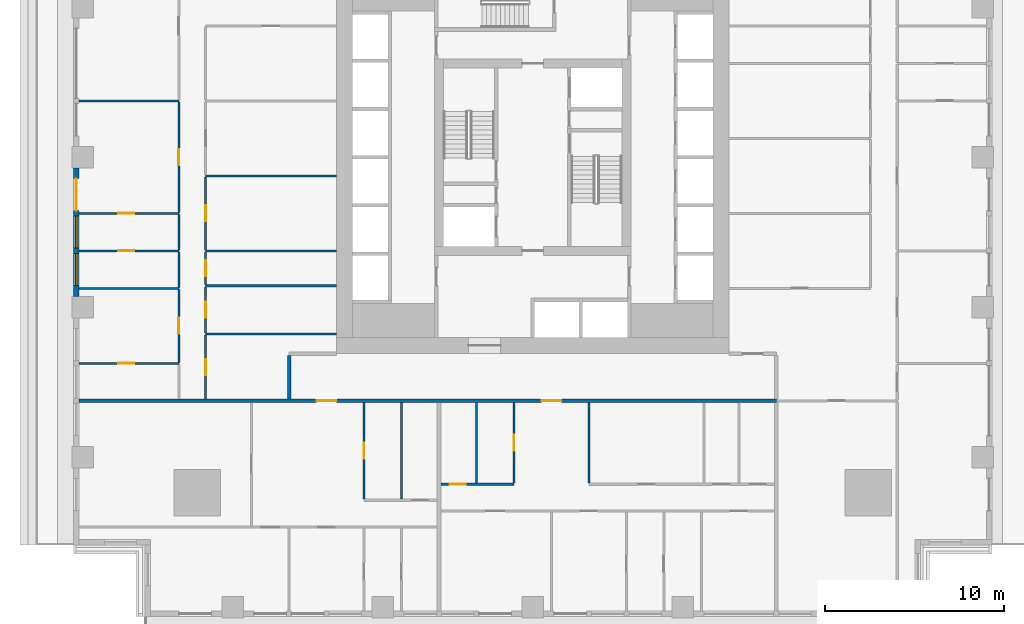
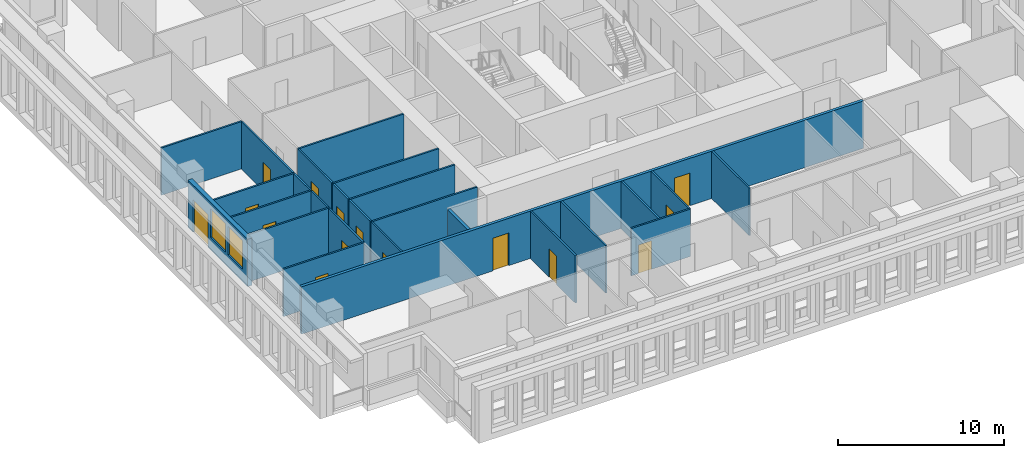
# One storey, part 3 of 16: 26 walls, 15 doors, 2 windows, 17 openings.
"""IFC4 building model written with IfcOpenShell, lengths in metres."""

from ifc_helpers import new_model, si_unit, direction, frame, frame_2d, origin, place, context, subcontext, project, spatial, rectangle, extrude, material, layer, layer_set, type_object, element, fill, save


model = new_model("IFC4")

# Units and contexts
model_context = context("Model", 3, precision=1e-05, world=origin(), true_north=direction((0.0, 1.0)))
body_context = subcontext(model_context, "Body", "Model", "MODEL_VIEW")
ifc_project = project(units=[si_unit("LENGTHUNIT", "METRE"), si_unit("AREAUNIT", "SQUARE_METRE"), si_unit("VOLUMEUNIT", "CUBIC_METRE"), si_unit("PLANEANGLEUNIT", "RADIAN"), si_unit("MASSUNIT", "GRAM", prefix="KILO")], contexts=[model_context])

# Site, building, storey
site_placement = place(None, origin())
site = spatial("IfcSite", under=ifc_project, at=site_placement, CompositionType="ELEMENT")
building_placement = place(site_placement, origin())
building = spatial("IfcBuilding", under=site, at=building_placement, Name="Khepri Terraces", CompositionType="ELEMENT")
storey_placement = place(building_placement, frame((0.0, 0.0, 133.800048828125)))
storey = spatial("IfcBuildingStorey", under=building, at=storey_placement, Name="L31", CompositionType="ELEMENT", Elevation=133.800048828125)

# Wall, openings, doors
ifc_material_1 = material(Name="Fire-rated gypsum plasterboard partition, mineral wool")
ifc_layer_1 = layer(ifc_material_1, 0.199951171875, Name="Fire-rated gypsum plasterboard partition, mineral wool")
ifc_layer_set_1 = layer_set([ifc_layer_1], Name="Fire-rated gypsum plasterboard partition, mineral wool")
wall_type_1 = type_object("IfcWallType", Name="WL-CORR-200", PredefinedType="PARTITIONING", material=ifc_layer_set_1)
wall_1_placement = place(storey_placement, frame((-25.419921875, -13.64990234375, 0.0), z_axis=(0.0, 0.0, 1.0), x_axis=(1.0, 0.0, 0.0)))
wall_1 = element("IfcWall", 1, at=wall_1_placement, inside=storey, type_object=wall_type_1, Name="Partition P-024 L31", PredefinedType="PARTITIONING", context=body_context, shape_type="SweptSolid", body=[
    extrude(rectangle(XDim=39.06982421875, YDim=0.199951171875, at=frame_2d((19.534912109375, 0.0))), origin(), (0.0, 0.0, 1.0), 3.47998046875),
])
opening_1_placement = place(wall_1_placement, frame((13.320068359375, 0.0, 0.0)))
opening_1 = element("IfcOpeningElement", 2, at=opening_1_placement, cuts=wall_1, Name="Opening D1", PredefinedType="OPENING", context=body_context, shape_type="SweptSolid", body=[
    extrude(rectangle(XDim=1.10009765625, YDim=2.39990234375, at=frame_2d((0.550048828125, 1.199951171875))), frame((0.0, 0.10986328125, 0.0), z_axis=(0.0, -1.0, 0.0), x_axis=(1.0, 0.0, 0.0)), (0.0, 0.0, 1.0), 0.219970703125),
])
opening_2_placement = place(wall_1_placement, frame((25.919921875, 0.0, 0.0)))
opening_2 = element("IfcOpeningElement", 3, at=opening_2_placement, cuts=wall_1, Name="Opening D1", PredefinedType="OPENING", context=body_context, shape_type="SweptSolid", body=[
    extrude(rectangle(XDim=1.10009765625, YDim=2.39990234375, at=frame_2d((0.550048828125, 1.199951171875))), frame((0.0, 0.10986328125, 0.0), z_axis=(0.0, -1.0, 0.0), x_axis=(1.0, 0.0, 0.0)), (0.0, 0.0, 1.0), 0.219970703125),
])
ifc_material_2 = material(Name="Solid-core timber door leaf, flat entrance door", Category="wood")
door_type_1 = type_object("IfcDoorType", Name="DR-ENT-1100", OperationType="NOTDEFINED", PredefinedType="DOOR", material=ifc_material_2)
door_1_placement = place(opening_1_placement, frame((1.10009765625, 0.0, 0.0), z_axis=(0.0, 0.0, 1.0), x_axis=(-1.0, 0.0, 0.0)))
door_1 = element("IfcDoor", 4, at=door_1_placement, inside=storey, type_object=door_type_1, Name="Flat A1 entrance door", OperationType="SINGLE_SWING_RIGHT", OverallHeight=2.39990234375, OverallWidth=1.10009765625, PredefinedType="DOOR", context=body_context, shape_type="SweptSolid", body=[
    extrude(rectangle(XDim=1.10009765625, YDim=2.39990234375, at=frame_2d((0.550048828125, 1.199951171875))), frame((0.0, 0.02490234375, 0.0), z_axis=(0.0, -1.0, 0.0), x_axis=(1.0, 0.0, 0.0)), (0.0, 0.0, 1.0), 0.050048828125),
])
fill(opening_1, door_1)
door_2_placement = place(opening_2_placement, frame((1.10009765625, 0.0, 0.0), z_axis=(0.0, 0.0, 1.0), x_axis=(-1.0, 0.0, 0.0)))
door_2 = element("IfcDoor", 5, at=door_2_placement, inside=storey, type_object=door_type_1, Name="Flat A2 entrance door", OperationType="SINGLE_SWING_LEFT", OverallHeight=2.39990234375, OverallWidth=1.10009765625, PredefinedType="DOOR", context=body_context, shape_type="SweptSolid", body=[
    extrude(rectangle(XDim=1.10009765625, YDim=2.39990234375, at=frame_2d((0.550048828125, 1.199951171875))), frame((0.0, 0.02490234375, 0.0), z_axis=(0.0, -1.0, 0.0), x_axis=(1.0, 0.0, 0.0)), (0.0, 0.0, 1.0), 0.050048828125),
])
fill(opening_2, door_2)

# Wall
wall_2_placement = place(storey_placement, frame((-13.64990234375, -13.550048828125, 0.0), z_axis=(0.0, 0.0, 1.0), x_axis=(0.0, 1.0, 0.0)))
element("IfcWall", 6, at=wall_2_placement, inside=storey, type_object=wall_type_1, Name="Partition P-029 L31", PredefinedType="PARTITIONING", context=body_context, shape_type="SweptSolid", body=[
    extrude(rectangle(XDim=2.449951171875, YDim=0.199951171875, at=frame_2d((1.22509765625, 0.0))), origin(), (0.0, 0.0, 1.0), 3.47998046875),
])

# Wall, openings, door, windows
ifc_material_3 = material(Name="Precast concrete C50/60 warm stone", Category="masonry")
ifc_layer_2 = layer(ifc_material_3, 0.300048828125, Name="Precast concrete C50/60 warm stone", Category="masonry")
ifc_layer_set_2 = layer_set([ifc_layer_2], Name="Precast concrete C50/60 warm stone")
wall_type_2 = type_object("IfcWallType", Name="WL-EXT-PRECAST-300", PredefinedType="STANDARD", material=ifc_layer_set_2)
wall_3_placement = place(storey_placement, frame((-25.570068359375, -0.60009765625, 0.0), z_axis=(0.0, 0.0, 1.0), x_axis=(0.0, -1.0, 0.0)))
wall_3 = element("IfcWall", 7, at=wall_3_placement, inside=storey, type_object=wall_type_2, Name="External wall L31 W", PredefinedType="STANDARD", context=body_context, shape_type="SweptSolid", body=[
    extrude(rectangle(XDim=7.199951171875, YDim=0.300048828125, at=frame_2d((3.60009765625, 0.0))), origin(), (0.0, 0.0, 1.0), 3.47998046875),
])
opening_3_placement = place(wall_3_placement, frame((0.60009765625, 0.0, 0.0)))
opening_3 = element("IfcOpeningElement", 8, at=opening_3_placement, cuts=wall_3, Name="Opening ED-L31-18", PredefinedType="OPENING", context=body_context, shape_type="SweptSolid", body=[
    extrude(rectangle(XDim=1.800048828125, YDim=2.39990234375, at=frame_2d((0.89990234375, 1.199951171875))), frame((0.0, 0.16015625, 0.0), z_axis=(0.0, -1.0, 0.0), x_axis=(1.0, 0.0, 0.0)), (0.0, 0.0, 1.0), 0.320068359375),
])
opening_4_placement = place(wall_3_placement, frame((2.699951171875, 0.0, 0.89990234375)))
opening_4 = element("IfcOpeningElement", 9, at=opening_4_placement, cuts=wall_3, Name="Opening W1", PredefinedType="OPENING", context=body_context, shape_type="SweptSolid", body=[
    extrude(rectangle(XDim=1.800048828125, YDim=2.10009765625, at=frame_2d((0.89990234375, 1.050048828125))), frame((0.0, 0.16015625, 0.0), z_axis=(0.0, -1.0, 0.0), x_axis=(1.0, 0.0, 0.0)), (0.0, 0.0, 1.0), 0.320068359375),
])
opening_5_placement = place(wall_3_placement, frame((4.800048828125, 0.0, 0.89990234375)))
opening_5 = element("IfcOpeningElement", 10, at=opening_5_placement, cuts=wall_3, Name="Opening W1", PredefinedType="OPENING", context=body_context, shape_type="SweptSolid", body=[
    extrude(rectangle(XDim=1.800048828125, YDim=2.10009765625, at=frame_2d((0.89990234375, 1.050048828125))), frame((0.0, 0.16015625, 0.0), z_axis=(0.0, -1.0, 0.0), x_axis=(1.0, 0.0, 0.0)), (0.0, 0.0, 1.0), 0.320068359375),
])
ifc_material_4 = material(Name="Anodised aluminium bronze glazed door", Category="aluminium")
door_type_2 = type_object("IfcDoorType", Name="DR-BAL-SLIDE-1800x2400", OperationType="NOTDEFINED", PredefinedType="DOOR", material=ifc_material_4)
door_3_placement = place(opening_3_placement, origin())
door_3 = element("IfcDoor", 11, at=door_3_placement, inside=storey, type_object=door_type_2, Name="Balcony door L31 W", OperationType="SLIDING_TO_LEFT", OverallHeight=2.39990234375, OverallWidth=1.800048828125, PredefinedType="DOOR", context=body_context, shape_type="SweptSolid", body=[
    extrude(rectangle(XDim=1.800048828125, YDim=2.39990234375, at=frame_2d((0.89990234375, 1.199951171875))), frame((0.0, 0.02490234375, 0.0), z_axis=(0.0, -1.0, 0.0), x_axis=(1.0, 0.0, 0.0)), (0.0, 0.0, 1.0), 0.050048828125),
])
fill(opening_3, door_3)
ifc_material_5 = material(Name="Clear glass", Category="glass")
window_type = type_object("IfcWindowType", Name="WIN-RES-1800x2100", PartitioningType="SINGLE_PANEL", PredefinedType="WINDOW", material=ifc_material_5)
window_1_placement = place(opening_4_placement, origin())
window_1 = element("IfcWindow", 12, at=window_1_placement, inside=storey, type_object=window_type, Name="Window L31 W", OverallHeight=2.10009765625, OverallWidth=1.800048828125, PartitioningType="SINGLE_PANEL", PredefinedType="WINDOW", context=body_context, shape_type="SweptSolid", body=[
    extrude(rectangle(XDim=1.800048828125, YDim=2.10009765625, at=frame_2d((0.89990234375, 1.050048828125))), frame((0.0, 0.030029296875, 0.0), z_axis=(0.0, -1.0, 0.0), x_axis=(1.0, 0.0, 0.0)), (0.0, 0.0, 1.0), 0.06005859375),
])
fill(opening_4, window_1)
window_2_placement = place(opening_5_placement, origin())
window_2 = element("IfcWindow", 13, at=window_2_placement, inside=storey, type_object=window_type, Name="Window L31 W", OverallHeight=2.10009765625, OverallWidth=1.800048828125, PartitioningType="SINGLE_PANEL", PredefinedType="WINDOW", context=body_context, shape_type="SweptSolid", body=[
    extrude(rectangle(XDim=1.800048828125, YDim=2.10009765625, at=frame_2d((0.89990234375, 1.050048828125))), frame((0.0, 0.030029296875, 0.0), z_axis=(0.0, -1.0, 0.0), x_axis=(1.0, 0.0, 0.0)), (0.0, 0.0, 1.0), 0.06005859375),
])
fill(opening_5, window_2)

# Wall, opening, door
ifc_material_6 = material(Name="Gypsum plasterboard partition")
ifc_layer_3 = layer(ifc_material_6, 0.1201171875, Name="Gypsum plasterboard partition")
ifc_layer_set_3 = layer_set([ifc_layer_3], Name="Gypsum plasterboard partition")
wall_type_3 = type_object("IfcWallType", Name="WL-PART-120", PredefinedType="PARTITIONING", material=ifc_layer_set_3)
wall_4_placement = place(storey_placement, frame((-9.449951171875, -19.159912109375, 0.0), z_axis=(0.0, 0.0, 1.0), x_axis=(0.0, 1.0, 0.0)))
wall_4 = element("IfcWall", 14, at=wall_4_placement, inside=storey, type_object=wall_type_3, Name="Partition P-015 L31", PredefinedType="PARTITIONING", context=body_context, shape_type="SweptSolid", body=[
    extrude(rectangle(XDim=5.409912109375, YDim=0.1201171875, at=frame_2d((2.705078125, 0.0))), origin(), (0.0, 0.0, 1.0), 3.47998046875),
])
opening_6_placement = place(wall_4_placement, frame((2.27490234375, 0.0, 0.0)))
opening_6 = element("IfcOpeningElement", 15, at=opening_6_placement, cuts=wall_4, Name="Opening D4", PredefinedType="OPENING", context=body_context, shape_type="SweptSolid", body=[
    extrude(rectangle(XDim=0.89990234375, YDim=2.10009765625, at=frame_2d((0.449951171875, 1.050048828125))), frame((0.0, 0.070068359375, 0.0), z_axis=(0.0, -1.0, 0.0), x_axis=(1.0, 0.0, 0.0)), (0.0, 0.0, 1.0), 0.14013671875),
])
ifc_material_7 = material(Name="Timber door leaf, moisture resistant", Category="wood")
door_type_3 = type_object("IfcDoorType", Name="DR-WET-900", OperationType="NOTDEFINED", PredefinedType="DOOR", material=ifc_material_7)
door_4_placement = place(opening_6_placement, frame((0.89990234375, 0.0, 0.0), z_axis=(0.0, 0.0, 1.0), x_axis=(-1.0, 0.0, 0.0)))
door_4 = element("IfcDoor", 16, at=door_4_placement, inside=storey, type_object=door_type_3, Name="Door Guest Bathroom", OperationType="SINGLE_SWING_LEFT", OverallHeight=2.10009765625, OverallWidth=0.89990234375, PredefinedType="DOOR", context=body_context, shape_type="SweptSolid", body=[
    extrude(rectangle(XDim=0.89990234375, YDim=2.10009765625, at=frame_2d((0.449951171875, 1.050048828125))), frame((0.0, 0.02490234375, 0.0), z_axis=(0.0, -1.0, 0.0), x_axis=(1.0, 0.0, 0.0)), (0.0, 0.0, 1.0), 0.050048828125),
])
fill(opening_6, door_4)

# Wall
wall_5_placement = place(storey_placement, frame((-7.35009765625, -19.159912109375, 0.0), z_axis=(0.0, 0.0, 1.0), x_axis=(0.0, 1.0, 0.0)))
element("IfcWall", 17, at=wall_5_placement, inside=storey, type_object=wall_type_3, Name="Partition P-016 L31", PredefinedType="PARTITIONING", context=body_context, shape_type="SweptSolid", body=[
    extrude(rectangle(XDim=5.409912109375, YDim=0.1201171875, at=frame_2d((2.705078125, 0.0))), origin(), (0.0, 0.0, 1.0), 3.47998046875),
])

# Wall, opening, door
wall_6_placement = place(storey_placement, frame((-5.14990234375, -18.320068359375, 0.0), z_axis=(0.0, 0.0, 1.0), x_axis=(1.0, 0.0, 0.0)))
wall_6 = element("IfcWall", 18, at=wall_6_placement, inside=storey, type_object=wall_type_3, Name="Partition P-017 L31", PredefinedType="PARTITIONING", context=body_context, shape_type="SweptSolid", body=[
    extrude(rectangle(XDim=4.099853515625, YDim=0.1201171875, at=frame_2d((2.0498046875, 0.0))), origin(), (0.0, 0.0, 1.0), 3.47998046875),
])
opening_7_placement = place(wall_6_placement, frame((0.5, 0.0, 0.0)))
opening_7 = element("IfcOpeningElement", 19, at=opening_7_placement, cuts=wall_6, Name="Opening D4", PredefinedType="OPENING", context=body_context, shape_type="SweptSolid", body=[
    extrude(rectangle(XDim=0.89990234375, YDim=2.10009765625, at=frame_2d((0.449951171875, 1.050048828125))), frame((0.0, 0.070068359375, 0.0), z_axis=(0.0, -1.0, 0.0), x_axis=(1.0, 0.0, 0.0)), (0.0, 0.0, 1.0), 0.14013671875),
])
door_5_placement = place(opening_7_placement, origin())
door_5 = element("IfcDoor", 20, at=door_5_placement, inside=storey, type_object=door_type_3, Name="Door Powder Room", OperationType="SINGLE_SWING_LEFT", OverallHeight=2.10009765625, OverallWidth=0.89990234375, PredefinedType="DOOR", context=body_context, shape_type="SweptSolid", body=[
    extrude(rectangle(XDim=0.89990234375, YDim=2.10009765625, at=frame_2d((0.449951171875, 1.050048828125))), frame((0.0, 0.02490234375, 0.0), z_axis=(0.0, -1.0, 0.0), x_axis=(1.0, 0.0, 0.0)), (0.0, 0.0, 1.0), 0.050048828125),
])
fill(opening_7, door_5)

# Wall
wall_7_placement = place(storey_placement, frame((-3.14990234375, -18.260009765625, 0.0), z_axis=(0.0, 0.0, 1.0), x_axis=(0.0, 1.0, 0.0)))
element("IfcWall", 21, at=wall_7_placement, inside=storey, type_object=wall_type_3, Name="Partition P-019 L31", PredefinedType="PARTITIONING", context=body_context, shape_type="SweptSolid", body=[
    extrude(rectangle(XDim=4.510009765625, YDim=0.1201171875, at=frame_2d((2.2548828125, 0.0))), origin(), (0.0, 0.0, 1.0), 3.47998046875),
])

# Wall, opening, door
wall_8_placement = place(storey_placement, frame((-1.050048828125, -18.260009765625, 0.0), z_axis=(0.0, 0.0, 1.0), x_axis=(0.0, 1.0, 0.0)))
wall_8 = element("IfcWall", 22, at=wall_8_placement, inside=storey, type_object=wall_type_3, Name="Partition P-020 L31", PredefinedType="PARTITIONING", context=body_context, shape_type="SweptSolid", body=[
    extrude(rectangle(XDim=4.510009765625, YDim=0.1201171875, at=frame_2d((2.2548828125, 0.0))), origin(), (0.0, 0.0, 1.0), 3.47998046875),
])
opening_8_placement = place(wall_8_placement, frame((1.824951171875, 0.0, 0.0)))
opening_8 = element("IfcOpeningElement", 23, at=opening_8_placement, cuts=wall_8, Name="Opening D4", PredefinedType="OPENING", context=body_context, shape_type="SweptSolid", body=[
    extrude(rectangle(XDim=0.89990234375, YDim=2.10009765625, at=frame_2d((0.449951171875, 1.050048828125))), frame((0.0, 0.070068359375, 0.0), z_axis=(0.0, -1.0, 0.0), x_axis=(1.0, 0.0, 0.0)), (0.0, 0.0, 1.0), 0.14013671875),
])
door_6_placement = place(opening_8_placement, origin())
door_6 = element("IfcDoor", 24, at=door_6_placement, inside=storey, type_object=door_type_3, Name="Door Guest Bathroom", OperationType="SINGLE_SWING_RIGHT", OverallHeight=2.10009765625, OverallWidth=0.89990234375, PredefinedType="DOOR", context=body_context, shape_type="SweptSolid", body=[
    extrude(rectangle(XDim=0.89990234375, YDim=2.10009765625, at=frame_2d((0.449951171875, 1.050048828125))), frame((0.0, 0.02490234375, 0.0), z_axis=(0.0, -1.0, 0.0), x_axis=(1.0, 0.0, 0.0)), (0.0, 0.0, 1.0), 0.050048828125),
])
fill(opening_8, door_6)

# Wall
wall_9_placement = place(storey_placement, frame((3.14990234375, -18.260009765625, 0.0), z_axis=(0.0, 0.0, 1.0), x_axis=(0.0, 1.0, 0.0)))
element("IfcWall", 25, at=wall_9_placement, inside=storey, type_object=wall_type_3, Name="Partition P-021 L31", PredefinedType="PARTITIONING", context=body_context, shape_type="SweptSolid", body=[
    extrude(rectangle(XDim=4.510009765625, YDim=0.1201171875, at=frame_2d((2.2548828125, 0.0))), origin(), (0.0, 0.0, 1.0), 3.47998046875),
])

# Wall, opening, door
wall_10_placement = place(storey_placement, frame((-18.320068359375, -13.550048828125, 0.0), z_axis=(0.0, 0.0, 1.0), x_axis=(0.0, 1.0, 0.0)))
wall_10 = element("IfcWall", 26, at=wall_10_placement, inside=storey, type_object=wall_type_3, Name="Partition P-028 L31", PredefinedType="PARTITIONING", context=body_context, shape_type="SweptSolid", body=[
    extrude(rectangle(XDim=3.590087890625, YDim=0.1201171875, at=frame_2d((1.794921875, 0.0))), origin(), (0.0, 0.0, 1.0), 3.47998046875),
])
opening_9_placement = place(wall_10_placement, frame((1.324951171875, 0.0, 0.0)))
opening_9 = element("IfcOpeningElement", 27, at=opening_9_placement, cuts=wall_10, Name="Opening D3", PredefinedType="OPENING", context=body_context, shape_type="SweptSolid", body=[
    extrude(rectangle(XDim=0.89990234375, YDim=2.10009765625, at=frame_2d((0.449951171875, 1.050048828125))), frame((0.0, 0.070068359375, 0.0), z_axis=(0.0, -1.0, 0.0), x_axis=(1.0, 0.0, 0.0)), (0.0, 0.0, 1.0), 0.14013671875),
])
ifc_material_8 = material(Name="Timber door leaf", Category="wood")
door_type_4 = type_object("IfcDoorType", Name="DR-INT-900", OperationType="NOTDEFINED", PredefinedType="DOOR", material=ifc_material_8)
door_7_placement = place(opening_9_placement, frame((0.89990234375, 0.0, 0.0), z_axis=(0.0, 0.0, 1.0), x_axis=(-1.0, 0.0, 0.0)))
door_7 = element("IfcDoor", 28, at=door_7_placement, inside=storey, type_object=door_type_4, Name="Door Library", OperationType="SINGLE_SWING_RIGHT", OverallHeight=2.10009765625, OverallWidth=0.89990234375, PredefinedType="DOOR", context=body_context, shape_type="SweptSolid", body=[
    extrude(rectangle(XDim=0.89990234375, YDim=2.10009765625, at=frame_2d((0.449951171875, 1.050048828125))), frame((0.0, 0.02490234375, 0.0), z_axis=(0.0, -1.0, 0.0), x_axis=(1.0, 0.0, 0.0)), (0.0, 0.0, 1.0), 0.050048828125),
])
fill(opening_9, door_7)

wall_11_placement = place(storey_placement, frame((-25.419921875, -11.550048828125, 0.0), z_axis=(0.0, 0.0, 1.0), x_axis=(1.0, 0.0, 0.0)))
wall_11 = element("IfcWall", 29, at=wall_11_placement, inside=storey, type_object=wall_type_3, Name="Partition P-031 L31", PredefinedType="PARTITIONING", context=body_context, shape_type="SweptSolid", body=[
    extrude(rectangle(XDim=5.599853515625, YDim=0.1201171875, at=frame_2d((2.7998046875, 0.0))), origin(), (0.0, 0.0, 1.0), 3.47998046875),
])
opening_10_placement = place(wall_11_placement, frame((2.199951171875, 0.0, 0.0)))
opening_10 = element("IfcOpeningElement", 30, at=opening_10_placement, cuts=wall_11, Name="Opening D4", PredefinedType="OPENING", context=body_context, shape_type="SweptSolid", body=[
    extrude(rectangle(XDim=0.89990234375, YDim=2.10009765625, at=frame_2d((0.449951171875, 1.050048828125))), frame((0.0, 0.070068359375, 0.0), z_axis=(0.0, -1.0, 0.0), x_axis=(1.0, 0.0, 0.0)), (0.0, 0.0, 1.0), 0.14013671875),
])
door_8_placement = place(opening_10_placement, frame((0.89990234375, 0.0, 0.0), z_axis=(0.0, 0.0, 1.0), x_axis=(-1.0, 0.0, 0.0)))
door_8 = element("IfcDoor", 31, at=door_8_placement, inside=storey, type_object=door_type_3, Name="Door Bathroom", OperationType="SINGLE_SWING_RIGHT", OverallHeight=2.10009765625, OverallWidth=0.89990234375, PredefinedType="DOOR", context=body_context, shape_type="SweptSolid", body=[
    extrude(rectangle(XDim=0.89990234375, YDim=2.10009765625, at=frame_2d((0.449951171875, 1.050048828125))), frame((0.0, 0.02490234375, 0.0), z_axis=(0.0, -1.0, 0.0), x_axis=(1.0, 0.0, 0.0)), (0.0, 0.0, 1.0), 0.050048828125),
])
fill(opening_10, door_8)

wall_12_placement = place(storey_placement, frame((-19.820068359375, -11.489990234375, 0.0), z_axis=(0.0, 0.0, 1.0), x_axis=(0.0, 1.0, 0.0)))
wall_12 = element("IfcWall", 32, at=wall_12_placement, inside=storey, type_object=wall_type_3, Name="Partition P-033 L31", PredefinedType="PARTITIONING", context=body_context, shape_type="SweptSolid", body=[
    extrude(rectangle(XDim=4.080078125, YDim=0.1201171875, at=frame_2d((2.0400390625, 0.0))), origin(), (0.0, 0.0, 1.0), 3.47998046875),
])
opening_11_placement = place(wall_12_placement, frame((1.590087890625, 0.0, 0.0)))
opening_11 = element("IfcOpeningElement", 33, at=opening_11_placement, cuts=wall_12, Name="Opening D3", PredefinedType="OPENING", context=body_context, shape_type="SweptSolid", body=[
    extrude(rectangle(XDim=0.89990234375, YDim=2.10009765625, at=frame_2d((0.449951171875, 1.050048828125))), frame((0.0, 0.070068359375, 0.0), z_axis=(0.0, -1.0, 0.0), x_axis=(1.0, 0.0, 0.0)), (0.0, 0.0, 1.0), 0.14013671875),
])
door_9_placement = place(opening_11_placement, origin())
door_9 = element("IfcDoor", 34, at=door_9_placement, inside=storey, type_object=door_type_4, Name="Door Bedroom", OperationType="SINGLE_SWING_RIGHT", OverallHeight=2.10009765625, OverallWidth=0.89990234375, PredefinedType="DOOR", context=body_context, shape_type="SweptSolid", body=[
    extrude(rectangle(XDim=0.89990234375, YDim=2.10009765625, at=frame_2d((0.449951171875, 1.050048828125))), frame((0.0, 0.02490234375, 0.0), z_axis=(0.0, -1.0, 0.0), x_axis=(1.0, 0.0, 0.0)), (0.0, 0.0, 1.0), 0.050048828125),
])
fill(opening_11, door_9)

# Wall
wall_13_placement = place(storey_placement, frame((-18.320068359375, -9.89990234375, 0.0), z_axis=(0.0, 0.0, 1.0), x_axis=(1.0, 0.0, 0.0)))
element("IfcWall", 35, at=wall_13_placement, inside=storey, type_object=wall_type_3, Name="Partition P-037 L31", PredefinedType="PARTITIONING", context=body_context, shape_type="SweptSolid", body=[
    extrude(rectangle(XDim=7.320068359375, YDim=0.1201171875, at=frame_2d((3.66015625, 0.0))), origin(), (0.0, 0.0, 1.0), 3.47998046875),
])

# Wall, opening, door
wall_14_placement = place(storey_placement, frame((-18.320068359375, -9.840087890625, 0.0), z_axis=(0.0, 0.0, 1.0), x_axis=(0.0, 1.0, 0.0)))
wall_14 = element("IfcWall", 36, at=wall_14_placement, inside=storey, type_object=wall_type_3, Name="Partition P-038 L31", PredefinedType="PARTITIONING", context=body_context, shape_type="SweptSolid", body=[
    extrude(rectangle(XDim=2.580078125, YDim=0.1201171875, at=frame_2d((1.2900390625, 0.0))), origin(), (0.0, 0.0, 1.0), 3.47998046875),
])
opening_12_placement = place(wall_14_placement, frame((0.840087890625, 0.0, 0.0)))
opening_12 = element("IfcOpeningElement", 37, at=opening_12_placement, cuts=wall_14, Name="Opening D4", PredefinedType="OPENING", context=body_context, shape_type="SweptSolid", body=[
    extrude(rectangle(XDim=0.89990234375, YDim=2.10009765625, at=frame_2d((0.449951171875, 1.050048828125))), frame((0.0, 0.070068359375, 0.0), z_axis=(0.0, -1.0, 0.0), x_axis=(1.0, 0.0, 0.0)), (0.0, 0.0, 1.0), 0.14013671875),
])
door_10_placement = place(opening_12_placement, frame((0.89990234375, 0.0, 0.0), z_axis=(0.0, 0.0, 1.0), x_axis=(-1.0, 0.0, 0.0)))
door_10 = element("IfcDoor", 38, at=door_10_placement, inside=storey, type_object=door_type_3, Name="Door Guest Bathroom", OperationType="SINGLE_SWING_RIGHT", OverallHeight=2.10009765625, OverallWidth=0.89990234375, PredefinedType="DOOR", context=body_context, shape_type="SweptSolid", body=[
    extrude(rectangle(XDim=0.89990234375, YDim=2.10009765625, at=frame_2d((0.449951171875, 1.050048828125))), frame((0.0, 0.02490234375, 0.0), z_axis=(0.0, -1.0, 0.0), x_axis=(1.0, 0.0, 0.0)), (0.0, 0.0, 1.0), 0.050048828125),
])
fill(opening_12, door_10)

# Walls
wall_15_placement = place(storey_placement, frame((-25.419921875, -7.35009765625, 0.0), z_axis=(0.0, 0.0, 1.0), x_axis=(1.0, 0.0, 0.0)))
element("IfcWall", 39, at=wall_15_placement, inside=storey, type_object=wall_type_3, Name="Partition P-039 L31", PredefinedType="PARTITIONING", context=body_context, shape_type="SweptSolid", body=[
    extrude(rectangle(XDim=5.599853515625, YDim=0.1201171875, at=frame_2d((2.7998046875, 0.0))), origin(), (0.0, 0.0, 1.0), 3.47998046875),
])
wall_16_placement = place(storey_placement, frame((-19.820068359375, -7.2900390625, 0.0), z_axis=(0.0, 0.0, 1.0), x_axis=(0.0, 1.0, 0.0)))
element("IfcWall", 40, at=wall_16_placement, inside=storey, type_object=wall_type_3, Name="Partition P-041 L31", PredefinedType="PARTITIONING", context=body_context, shape_type="SweptSolid", body=[
    extrude(rectangle(XDim=1.97998046875, YDim=0.1201171875, at=frame_2d((0.989990234375, 0.0))), origin(), (0.0, 0.0, 1.0), 3.47998046875),
])
wall_17_placement = place(storey_placement, frame((-18.320068359375, -7.199951171875, 0.0), z_axis=(0.0, 0.0, 1.0), x_axis=(1.0, 0.0, 0.0)))
element("IfcWall", 41, at=wall_17_placement, inside=storey, type_object=wall_type_3, Name="Partition P-043 L31", PredefinedType="PARTITIONING", context=body_context, shape_type="SweptSolid", body=[
    extrude(rectangle(XDim=7.320068359375, YDim=0.1201171875, at=frame_2d((3.66015625, 0.0))), origin(), (0.0, 0.0, 1.0), 3.47998046875),
])

# Wall, opening, door
wall_18_placement = place(storey_placement, frame((-18.320068359375, -7.139892578125, 0.0), z_axis=(0.0, 0.0, 1.0), x_axis=(0.0, 1.0, 0.0)))
wall_18 = element("IfcWall", 42, at=wall_18_placement, inside=storey, type_object=wall_type_3, Name="Partition P-044 L31", PredefinedType="PARTITIONING", context=body_context, shape_type="SweptSolid", body=[
    extrude(rectangle(XDim=1.829833984375, YDim=0.1201171875, at=frame_2d((0.9150390625, 0.0))), origin(), (0.0, 0.0, 1.0), 3.47998046875),
])
opening_13_placement = place(wall_18_placement, frame((0.465087890625, 0.0, 0.0)))
opening_13 = element("IfcOpeningElement", 43, at=opening_13_placement, cuts=wall_18, Name="Opening D4", PredefinedType="OPENING", context=body_context, shape_type="SweptSolid", body=[
    extrude(rectangle(XDim=0.89990234375, YDim=2.10009765625, at=frame_2d((0.449951171875, 1.050048828125))), frame((0.0, 0.070068359375, 0.0), z_axis=(0.0, -1.0, 0.0), x_axis=(1.0, 0.0, 0.0)), (0.0, 0.0, 1.0), 0.14013671875),
])
door_11_placement = place(opening_13_placement, frame((0.89990234375, 0.0, 0.0), z_axis=(0.0, 0.0, 1.0), x_axis=(-1.0, 0.0, 0.0)))
door_11 = element("IfcDoor", 44, at=door_11_placement, inside=storey, type_object=door_type_3, Name="Door Powder Room", OperationType="SINGLE_SWING_LEFT", OverallHeight=2.10009765625, OverallWidth=0.89990234375, PredefinedType="DOOR", context=body_context, shape_type="SweptSolid", body=[
    extrude(rectangle(XDim=0.89990234375, YDim=2.10009765625, at=frame_2d((0.449951171875, 1.050048828125))), frame((0.0, 0.02490234375, 0.0), z_axis=(0.0, -1.0, 0.0), x_axis=(1.0, 0.0, 0.0)), (0.0, 0.0, 1.0), 0.050048828125),
])
fill(opening_13, door_11)

wall_19_placement = place(storey_placement, frame((-25.419921875, -5.25, 0.0), z_axis=(0.0, 0.0, 1.0), x_axis=(1.0, 0.0, 0.0)))
wall_19 = element("IfcWall", 45, at=wall_19_placement, inside=storey, type_object=wall_type_3, Name="Partition P-045 L31", PredefinedType="PARTITIONING", context=body_context, shape_type="SweptSolid", body=[
    extrude(rectangle(XDim=5.599853515625, YDim=0.1201171875, at=frame_2d((2.7998046875, 0.0))), origin(), (0.0, 0.0, 1.0), 3.47998046875),
])
opening_14_placement = place(wall_19_placement, frame((2.199951171875, 0.0, 0.0)))
opening_14 = element("IfcOpeningElement", 46, at=opening_14_placement, cuts=wall_19, Name="Opening D4", PredefinedType="OPENING", context=body_context, shape_type="SweptSolid", body=[
    extrude(rectangle(XDim=0.89990234375, YDim=2.10009765625, at=frame_2d((0.449951171875, 1.050048828125))), frame((0.0, 0.070068359375, 0.0), z_axis=(0.0, -1.0, 0.0), x_axis=(1.0, 0.0, 0.0)), (0.0, 0.0, 1.0), 0.14013671875),
])
door_12_placement = place(opening_14_placement, frame((0.89990234375, 0.0, 0.0), z_axis=(0.0, 0.0, 1.0), x_axis=(-1.0, 0.0, 0.0)))
door_12 = element("IfcDoor", 47, at=door_12_placement, inside=storey, type_object=door_type_3, Name="Door Bathroom", OperationType="SINGLE_SWING_RIGHT", OverallHeight=2.10009765625, OverallWidth=0.89990234375, PredefinedType="DOOR", context=body_context, shape_type="SweptSolid", body=[
    extrude(rectangle(XDim=0.89990234375, YDim=2.10009765625, at=frame_2d((0.449951171875, 1.050048828125))), frame((0.0, 0.02490234375, 0.0), z_axis=(0.0, -1.0, 0.0), x_axis=(1.0, 0.0, 0.0)), (0.0, 0.0, 1.0), 0.050048828125),
])
fill(opening_14, door_12)

# Walls
wall_20_placement = place(storey_placement, frame((-18.320068359375, -5.25, 0.0), z_axis=(0.0, 0.0, 1.0), x_axis=(1.0, 0.0, 0.0)))
element("IfcWall", 48, at=wall_20_placement, inside=storey, type_object=wall_type_3, Name="Partition P-046 L31", PredefinedType="PARTITIONING", context=body_context, shape_type="SweptSolid", body=[
    extrude(rectangle(XDim=7.320068359375, YDim=0.1201171875, at=frame_2d((3.66015625, 0.0))), origin(), (0.0, 0.0, 1.0), 3.47998046875),
])
wall_21_placement = place(storey_placement, frame((-19.820068359375, -5.18994140625, 0.0), z_axis=(0.0, 0.0, 1.0), x_axis=(0.0, 1.0, 0.0)))
element("IfcWall", 49, at=wall_21_placement, inside=storey, type_object=wall_type_3, Name="Partition P-048 L31", PredefinedType="PARTITIONING", context=body_context, shape_type="SweptSolid", body=[
    extrude(rectangle(XDim=1.97998046875, YDim=0.1201171875, at=frame_2d((0.989990234375, 0.0))), origin(), (0.0, 0.0, 1.0), 3.47998046875),
])

# Wall, opening, door
wall_22_placement = place(storey_placement, frame((-18.320068359375, -5.18994140625, 0.0), z_axis=(0.0, 0.0, 1.0), x_axis=(0.0, 1.0, 0.0)))
wall_22 = element("IfcWall", 50, at=wall_22_placement, inside=storey, type_object=wall_type_3, Name="Partition P-049 L31", PredefinedType="PARTITIONING", context=body_context, shape_type="SweptSolid", body=[
    extrude(rectangle(XDim=4.079833984375, YDim=0.1201171875, at=frame_2d((2.0400390625, 0.0))), origin(), (0.0, 0.0, 1.0), 3.47998046875),
])
opening_15_placement = place(wall_22_placement, frame((1.590087890625, 0.0, 0.0)))
opening_15 = element("IfcOpeningElement", 51, at=opening_15_placement, cuts=wall_22, Name="Opening D3", PredefinedType="OPENING", context=body_context, shape_type="SweptSolid", body=[
    extrude(rectangle(XDim=0.89990234375, YDim=2.10009765625, at=frame_2d((0.449951171875, 1.050048828125))), frame((0.0, 0.070068359375, 0.0), z_axis=(0.0, -1.0, 0.0), x_axis=(1.0, 0.0, 0.0)), (0.0, 0.0, 1.0), 0.14013671875),
])
door_13_placement = place(opening_15_placement, frame((0.89990234375, 0.0, 0.0), z_axis=(0.0, 0.0, 1.0), x_axis=(-1.0, 0.0, 0.0)))
door_13 = element("IfcDoor", 52, at=door_13_placement, inside=storey, type_object=door_type_4, Name="Door Staff Bedroom", OperationType="SINGLE_SWING_LEFT", OverallHeight=2.10009765625, OverallWidth=0.89990234375, PredefinedType="DOOR", context=body_context, shape_type="SweptSolid", body=[
    extrude(rectangle(XDim=0.89990234375, YDim=2.10009765625, at=frame_2d((0.449951171875, 1.050048828125))), frame((0.0, 0.02490234375, 0.0), z_axis=(0.0, -1.0, 0.0), x_axis=(1.0, 0.0, 0.0)), (0.0, 0.0, 1.0), 0.050048828125),
])
fill(opening_15, door_13)

wall_23_placement = place(storey_placement, frame((-25.419921875, -3.14990234375, 0.0), z_axis=(0.0, 0.0, 1.0), x_axis=(1.0, 0.0, 0.0)))
wall_23 = element("IfcWall", 53, at=wall_23_placement, inside=storey, type_object=wall_type_3, Name="Partition P-051 L31", PredefinedType="PARTITIONING", context=body_context, shape_type="SweptSolid", body=[
    extrude(rectangle(XDim=5.599853515625, YDim=0.1201171875, at=frame_2d((2.7998046875, 0.0))), origin(), (0.0, 0.0, 1.0), 3.47998046875),
])
opening_16_placement = place(wall_23_placement, frame((2.199951171875, 0.0, 0.0)))
opening_16 = element("IfcOpeningElement", 54, at=opening_16_placement, cuts=wall_23, Name="Opening D3", PredefinedType="OPENING", context=body_context, shape_type="SweptSolid", body=[
    extrude(rectangle(XDim=0.89990234375, YDim=2.10009765625, at=frame_2d((0.449951171875, 1.050048828125))), frame((0.0, 0.070068359375, 0.0), z_axis=(0.0, -1.0, 0.0), x_axis=(1.0, 0.0, 0.0)), (0.0, 0.0, 1.0), 0.14013671875),
])
door_14_placement = place(opening_16_placement, frame((0.89990234375, 0.0, 0.0), z_axis=(0.0, 0.0, 1.0), x_axis=(-1.0, 0.0, 0.0)))
door_14 = element("IfcDoor", 55, at=door_14_placement, inside=storey, type_object=door_type_4, Name="Door Dressing Room", OperationType="SINGLE_SWING_RIGHT", OverallHeight=2.10009765625, OverallWidth=0.89990234375, PredefinedType="DOOR", context=body_context, shape_type="SweptSolid", body=[
    extrude(rectangle(XDim=0.89990234375, YDim=2.10009765625, at=frame_2d((0.449951171875, 1.050048828125))), frame((0.0, 0.02490234375, 0.0), z_axis=(0.0, -1.0, 0.0), x_axis=(1.0, 0.0, 0.0)), (0.0, 0.0, 1.0), 0.050048828125),
])
fill(opening_16, door_14)

wall_24_placement = place(storey_placement, frame((-19.820068359375, -3.090087890625, 0.0), z_axis=(0.0, 0.0, 1.0), x_axis=(0.0, 1.0, 0.0)))
wall_24 = element("IfcWall", 56, at=wall_24_placement, inside=storey, type_object=wall_type_3, Name="Partition P-053 L31", PredefinedType="PARTITIONING", context=body_context, shape_type="SweptSolid", body=[
    extrude(rectangle(XDim=6.18017578125, YDim=0.1201171875, at=frame_2d((3.090087890625, 0.0))), origin(), (0.0, 0.0, 1.0), 3.47998046875),
])
opening_17_placement = place(wall_24_placement, frame((2.639892578125, 0.0, 0.0)))
opening_17 = element("IfcOpeningElement", 57, at=opening_17_placement, cuts=wall_24, Name="Opening D3", PredefinedType="OPENING", context=body_context, shape_type="SweptSolid", body=[
    extrude(rectangle(XDim=0.89990234375, YDim=2.10009765625, at=frame_2d((0.449951171875, 1.050048828125))), frame((0.0, 0.070068359375, 0.0), z_axis=(0.0, -1.0, 0.0), x_axis=(1.0, 0.0, 0.0)), (0.0, 0.0, 1.0), 0.14013671875),
])
door_15_placement = place(opening_17_placement, origin())
door_15 = element("IfcDoor", 58, at=door_15_placement, inside=storey, type_object=door_type_4, Name="Door Master Bedroom", OperationType="SINGLE_SWING_RIGHT", OverallHeight=2.10009765625, OverallWidth=0.89990234375, PredefinedType="DOOR", context=body_context, shape_type="SweptSolid", body=[
    extrude(rectangle(XDim=0.89990234375, YDim=2.10009765625, at=frame_2d((0.449951171875, 1.050048828125))), frame((0.0, 0.02490234375, 0.0), z_axis=(0.0, -1.0, 0.0), x_axis=(1.0, 0.0, 0.0)), (0.0, 0.0, 1.0), 0.050048828125),
])
fill(opening_17, door_15)

# Walls
wall_25_placement = place(storey_placement, frame((-18.320068359375, -1.050048828125, 0.0), z_axis=(0.0, 0.0, 1.0), x_axis=(1.0, 0.0, 0.0)))
element("IfcWall", 59, at=wall_25_placement, inside=storey, type_object=wall_type_3, Name="Partition P-055 L31", PredefinedType="PARTITIONING", context=body_context, shape_type="SweptSolid", body=[
    extrude(rectangle(XDim=7.320068359375, YDim=0.1201171875, at=frame_2d((3.66015625, 0.0))), origin(), (0.0, 0.0, 1.0), 3.47998046875),
])
wall_26_placement = place(storey_placement, frame((-25.419921875, 3.14990234375, 0.0), z_axis=(0.0, 0.0, 1.0), x_axis=(1.0, 0.0, 0.0)))
element("IfcWall", 60, at=wall_26_placement, inside=storey, type_object=wall_type_3, Name="Partition P-059 L31", PredefinedType="PARTITIONING", context=body_context, shape_type="SweptSolid", body=[
    extrude(rectangle(XDim=5.599853515625, YDim=0.1201171875, at=frame_2d((2.7998046875, 0.0))), origin(), (0.0, 0.0, 1.0), 3.47998046875),
])

save(model, "model.ifc")
